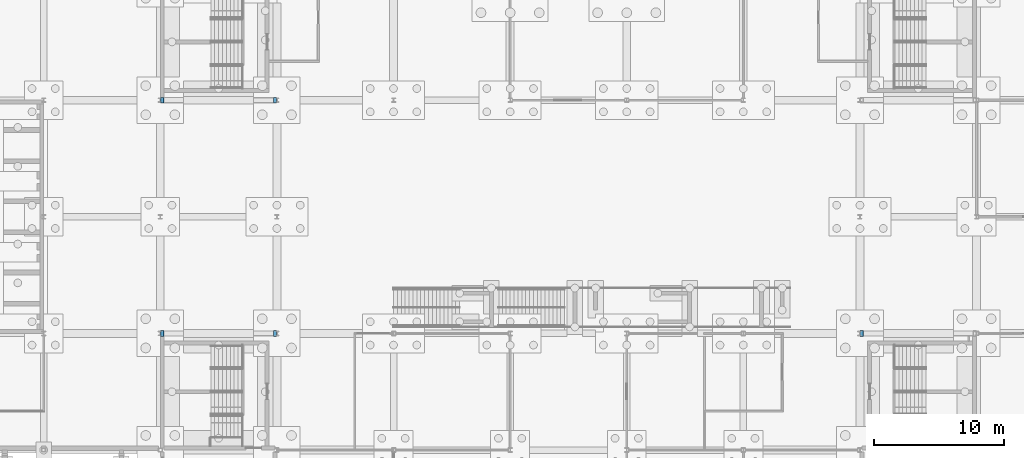
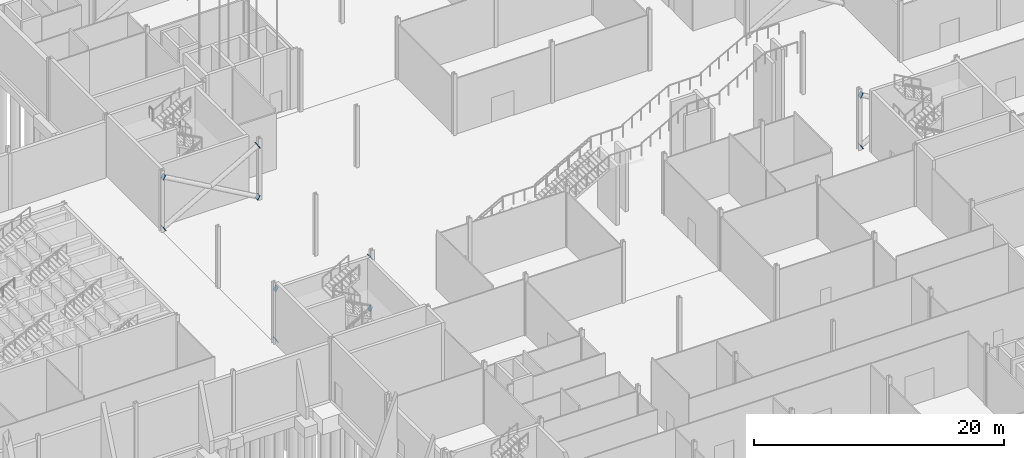
# One storey, part 125 of 139: 10 discrete accessories.
"""IFC4 building model written with IfcOpenShell, lengths in metres."""

from ifc_helpers import new_model, si_unit, direction, frame, origin, place, context, subcontext, project, spatial, polyline, outline, extrude, material, layer, layer_set, type_object, element, save


model = new_model("IFC4")

# Units and contexts
model_context = context("Model", 3, precision=1e-05, world=origin(), true_north=direction((0.0, 1.0)))
body_context = subcontext(model_context, "Body", "Model", "MODEL_VIEW")
ifc_project = project(units=[si_unit("LENGTHUNIT", "METRE"), si_unit("AREAUNIT", "SQUARE_METRE"), si_unit("VOLUMEUNIT", "CUBIC_METRE"), si_unit("PLANEANGLEUNIT", "RADIAN"), si_unit("MASSUNIT", "GRAM", prefix="KILO")], contexts=[model_context])

# Site, building, storey
site_placement = place(None, origin())
site = spatial("IfcSite", under=ifc_project, at=site_placement, CompositionType="ELEMENT")
building_placement = place(site_placement, origin())
building = spatial("IfcBuilding", under=site, at=building_placement, Name="Shorebreak Coast Museum", CompositionType="ELEMENT")
storey_placement = place(building_placement, origin())
storey = spatial("IfcBuildingStorey", under=building, at=storey_placement, Name="L00", CompositionType="ELEMENT", Elevation=0.0)

# Discrete accessories
ifc_material = material(Name="Steel Grade 300", Category="steel")
ifc_layer = layer(ifc_material, 0.02490234375)
ifc_layer_set = layer_set([ifc_layer], Name="Steel Grade 300")
discrete_accessory_type = type_object("IfcDiscreteAccessoryType", Name="End plate 450 x 450 x 25", PredefinedType="BRACKET", material=ifc_layer_set)
discrete_accessory_1_placement = place(storey_placement, frame((54.266357421875, 62.77490234375, 0.104736328125), z_axis=(0.867842316572, 0.0, 0.496839726237), x_axis=(0.0, 1.0, 0.0)))
element("IfcDiscreteAccessory", 1, at=discrete_accessory_1_placement, inside=storey, type_object=discrete_accessory_type, Name="End plate X-brace bay 01 L00 diagonal 1 end 1", PredefinedType="BRACKET", context=body_context, shape_type="SweptSolid", body=[
    extrude(outline(polyline([(0.0, 0.0), (0.4501953125, 0.0), (0.4501953125, 0.45011057025097745), (0.0, 0.45011057025097745), (0.0, 0.0)])), origin(), (0.0, 0.0, -1.0), 0.02490234375),
])
discrete_accessory_2_placement = place(storey_placement, frame((62.97802734375, 62.77490234375, 5.09228515625), z_axis=(0.867708330337, 0.0, 0.497073690174), x_axis=(0.0, 1.0, 0.0)))
element("IfcDiscreteAccessory", 2, at=discrete_accessory_2_placement, inside=storey, type_object=discrete_accessory_type, Name="End plate X-brace bay 01 L00 diagonal 1 end 2", PredefinedType="BRACKET", context=body_context, shape_type="SweptSolid", body=[
    extrude(outline(polyline([(0.0, 0.0), (0.4501953125, 0.0), (0.4501953125, 0.44989871103729967), (0.0, 0.44989871103729967), (0.0, 0.0)])), origin(), (0.0, 0.0, -1.0), 0.02490234375),
])
discrete_accessory_3_placement = place(storey_placement, frame((62.732666015625, 63.22509765625, 0.104736328125), z_axis=(-0.867842316572, 0.0, 0.496839726237), x_axis=(0.0, -1.0, 0.0)))
element("IfcDiscreteAccessory", 3, at=discrete_accessory_3_placement, inside=storey, type_object=discrete_accessory_type, Name="End plate X-brace bay 01 L00 diagonal 2 end 1", PredefinedType="BRACKET", context=body_context, shape_type="SweptSolid", body=[
    extrude(outline(polyline([(0.0, 0.0), (0.4501953125, 0.0), (0.4501953125, 0.45011057025097745), (0.0, 0.45011057025097745), (0.0, 0.0)])), origin(), (0.0, 0.0, -1.0), 0.02490234375),
])
discrete_accessory_4_placement = place(storey_placement, frame((54.02099609375, 63.22509765625, 5.09228515625), z_axis=(-0.867708330337, 0.0, 0.497073690174), x_axis=(0.0, -1.0, 0.0)))
element("IfcDiscreteAccessory", 4, at=discrete_accessory_4_placement, inside=storey, type_object=discrete_accessory_type, Name="End plate X-brace bay 01 L00 diagonal 2 end 2", PredefinedType="BRACKET", context=body_context, shape_type="SweptSolid", body=[
    extrude(outline(polyline([(0.0, 0.0), (0.4501953125, 0.0), (0.4501953125, 0.44989871103729967), (0.0, 0.44989871103729967), (0.0, 0.0)])), origin(), (0.0, 0.0, -1.0), 0.02490234375),
])
discrete_accessory_5_placement = place(storey_placement, frame((108.267333984375, 62.77490234375, 0.104736328125), z_axis=(0.867842316572, 0.0, 0.496839726237), x_axis=(0.0, 1.0, 0.0)))
element("IfcDiscreteAccessory", 5, at=discrete_accessory_5_placement, inside=storey, type_object=discrete_accessory_type, Name="End plate X-brace bay 02 L00 diagonal 1 end 1", PredefinedType="BRACKET", context=body_context, shape_type="SweptSolid", body=[
    extrude(outline(polyline([(0.0, 0.0), (0.4501953125, 0.0), (0.4501953125, 0.45011057025097745), (0.0, 0.45011057025097745), (0.0, 0.0)])), origin(), (0.0, 0.0, -1.0), 0.02490234375),
])
discrete_accessory_6_placement = place(storey_placement, frame((108.02197265625, 63.22509765625, 5.09228515625), z_axis=(-0.867708330337, 0.0, 0.497073690174), x_axis=(0.0, -1.0, 0.0)))
element("IfcDiscreteAccessory", 6, at=discrete_accessory_6_placement, inside=storey, type_object=discrete_accessory_type, Name="End plate X-brace bay 02 L00 diagonal 2 end 2", PredefinedType="BRACKET", context=body_context, shape_type="SweptSolid", body=[
    extrude(outline(polyline([(0.0, 0.0), (0.4501953125, 0.0), (0.4501953125, 0.44989871103729967), (0.0, 0.44989871103729967), (0.0, 0.0)])), origin(), (0.0, 0.0, -1.0), 0.02490234375),
])
discrete_accessory_7_placement = place(storey_placement, frame((54.266357421875, 80.77490234375, 0.104736328125), z_axis=(0.867842316572, 0.0, 0.496839726237), x_axis=(0.0, 1.0, 0.0)))
element("IfcDiscreteAccessory", 7, at=discrete_accessory_7_placement, inside=storey, type_object=discrete_accessory_type, Name="End plate X-brace bay 03 L00 diagonal 1 end 1", PredefinedType="BRACKET", context=body_context, shape_type="SweptSolid", body=[
    extrude(outline(polyline([(0.0, 0.0), (0.4501953125, 0.0), (0.4501953125, 0.45011057025097745), (0.0, 0.45011057025097745), (0.0, 0.0)])), origin(), (0.0, 0.0, -1.0), 0.02490234375),
])
discrete_accessory_8_placement = place(storey_placement, frame((62.97802734375, 80.77490234375, 5.09228515625), z_axis=(0.867708330337, 0.0, 0.497073690174), x_axis=(0.0, 1.0, 0.0)))
element("IfcDiscreteAccessory", 8, at=discrete_accessory_8_placement, inside=storey, type_object=discrete_accessory_type, Name="End plate X-brace bay 03 L00 diagonal 1 end 2", PredefinedType="BRACKET", context=body_context, shape_type="SweptSolid", body=[
    extrude(outline(polyline([(0.0, 0.0), (0.4501953125, 0.0), (0.4501953125, 0.44989871103729967), (0.0, 0.44989871103729967), (0.0, 0.0)])), origin(), (0.0, 0.0, -1.0), 0.02490234375),
])
discrete_accessory_9_placement = place(storey_placement, frame((62.732666015625, 81.22509765625, 0.104736328125), z_axis=(-0.867842316572, 0.0, 0.496839726237), x_axis=(0.0, -1.0, 0.0)))
element("IfcDiscreteAccessory", 9, at=discrete_accessory_9_placement, inside=storey, type_object=discrete_accessory_type, Name="End plate X-brace bay 03 L00 diagonal 2 end 1", PredefinedType="BRACKET", context=body_context, shape_type="SweptSolid", body=[
    extrude(outline(polyline([(0.0, 0.0), (0.4501953125, 0.0), (0.4501953125, 0.45011057025097745), (0.0, 0.45011057025097745), (0.0, 0.0)])), origin(), (0.0, 0.0, -1.0), 0.02490234375),
])
discrete_accessory_10_placement = place(storey_placement, frame((54.02099609375, 81.22509765625, 5.09228515625), z_axis=(-0.867708330337, 0.0, 0.497073690174), x_axis=(0.0, -1.0, 0.0)))
element("IfcDiscreteAccessory", 10, at=discrete_accessory_10_placement, inside=storey, type_object=discrete_accessory_type, Name="End plate X-brace bay 03 L00 diagonal 2 end 2", PredefinedType="BRACKET", context=body_context, shape_type="SweptSolid", body=[
    extrude(outline(polyline([(0.0, 0.0), (0.4501953125, 0.0), (0.4501953125, 0.44989871103729967), (0.0, 0.44989871103729967), (0.0, 0.0)])), origin(), (0.0, 0.0, -1.0), 0.02490234375),
])

save(model, "model.ifc")
